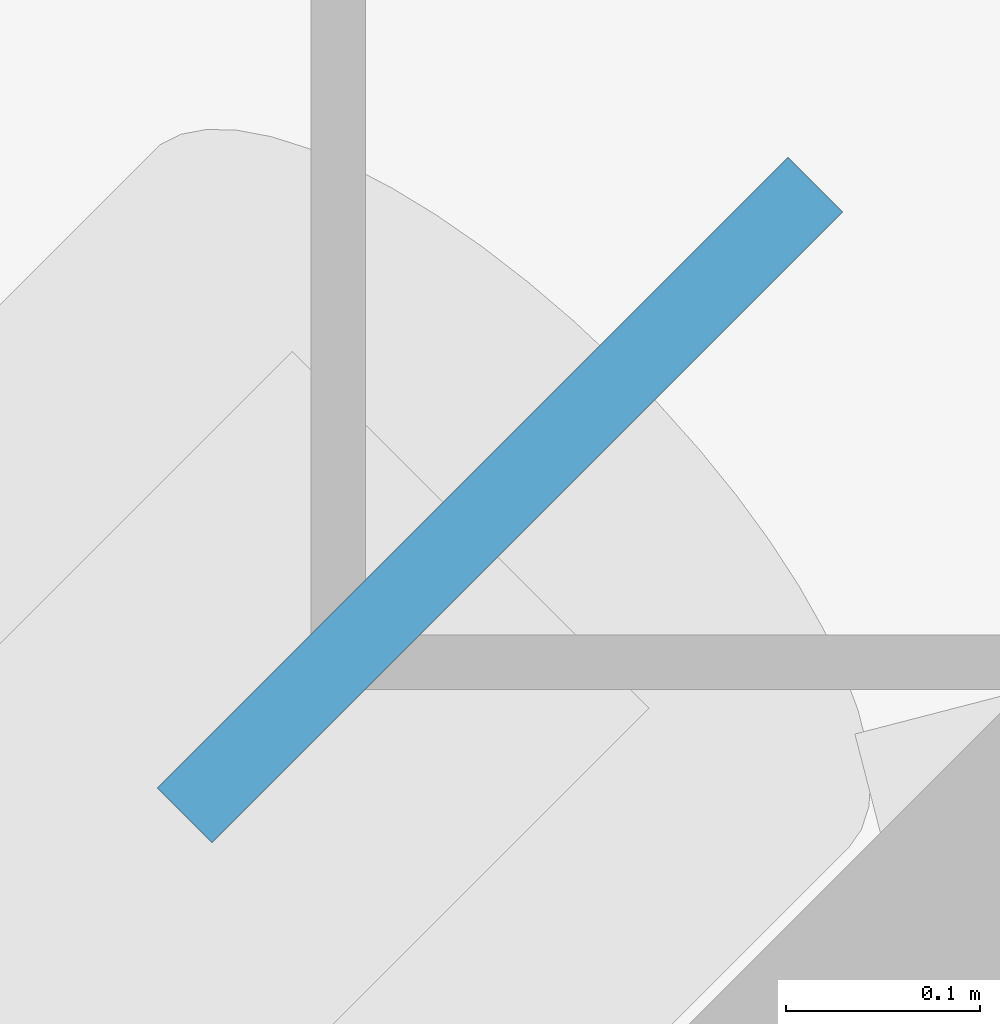
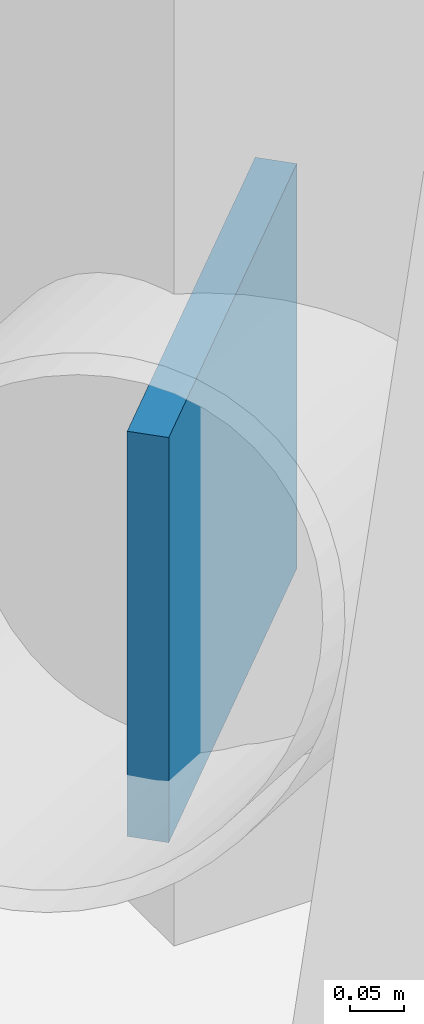
# One storey, part 16 of 18: 1 discrete accessory.
"""IFC4 building model written with IfcOpenShell, lengths in metres."""

from ifc_helpers import new_model, si_unit, direction, frame, origin, origin_2d, place, context, subcontext, project, spatial, rectangle, extrude, material, type_object, element, save


model = new_model("IFC4")

# Units and contexts
model_context = context("Model", 3, precision=1e-05, world=origin(), true_north=direction((0.0, 1.0)))
body_context = subcontext(model_context, "Body", "Model", "MODEL_VIEW")
ifc_project = project(units=[si_unit("LENGTHUNIT", "METRE"), si_unit("AREAUNIT", "SQUARE_METRE"), si_unit("VOLUMEUNIT", "CUBIC_METRE"), si_unit("PLANEANGLEUNIT", "RADIAN"), si_unit("MASSUNIT", "GRAM", prefix="KILO")], contexts=[model_context])

# Site, building, storey
site_placement = place(None, origin())
site = spatial("IfcSite", under=ifc_project, at=site_placement, CompositionType="ELEMENT")
building_placement = place(site_placement, origin())
building = spatial("IfcBuilding", under=site, at=building_placement, Name="Tavrogorsk Clinical Tower", CompositionType="ELEMENT")
storey_placement = place(building_placement, frame((0.0, 0.0, 168.199951171875)))
storey = spatial("IfcBuildingStorey", under=building, at=storey_placement, Name="L38", CompositionType="ELEMENT", Elevation=168.199951171875)

# Discrete accessory
ifc_material = material(Name="Structural steel S440", Category="steel")
discrete_accessory_type = type_object("IfcDiscreteAccessoryType", Name="GussetPlateBracket_25", PredefinedType="BRACKET", material=ifc_material)
discrete_accessory_placement = place(storey_placement, frame((-28.12255859375, 26.217529296875, 0.18310546875), z_axis=(0.0, 0.0, 1.0), x_axis=(-0.707106781187, -0.707106781187, 0.0)))
element("IfcDiscreteAccessory", 1, at=discrete_accessory_placement, inside=storey, type_object=discrete_accessory_type, Name="L38 Brace Gusset Plate EXOCRN-L38-3-A", PredefinedType="BRACKET", context=body_context, shape_type="SweptSolid", body=[
    extrude(rectangle(XDim=0.4599609375, YDim=0.0400390625, at=origin_2d()), origin(), (0.0, 0.0, 1.0), 0.4599609375),
])

save(model, "model.ifc")
